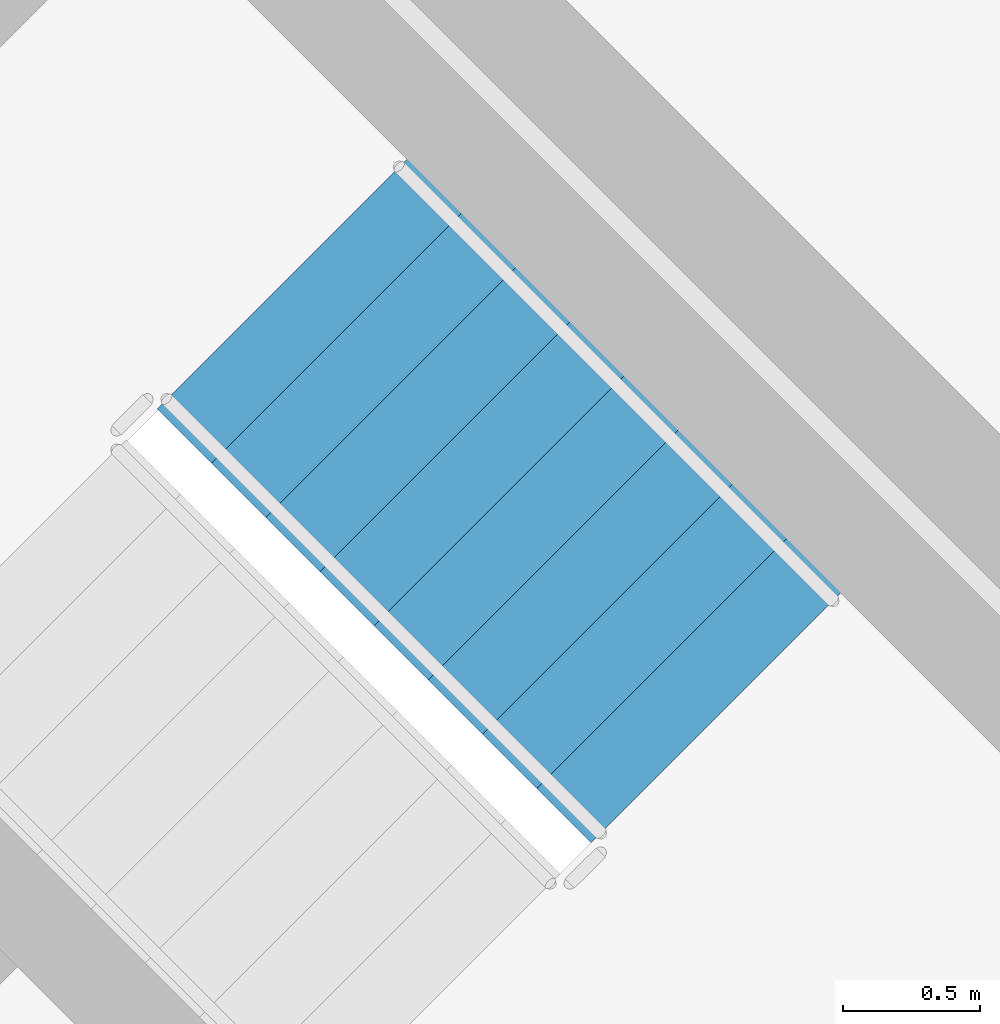
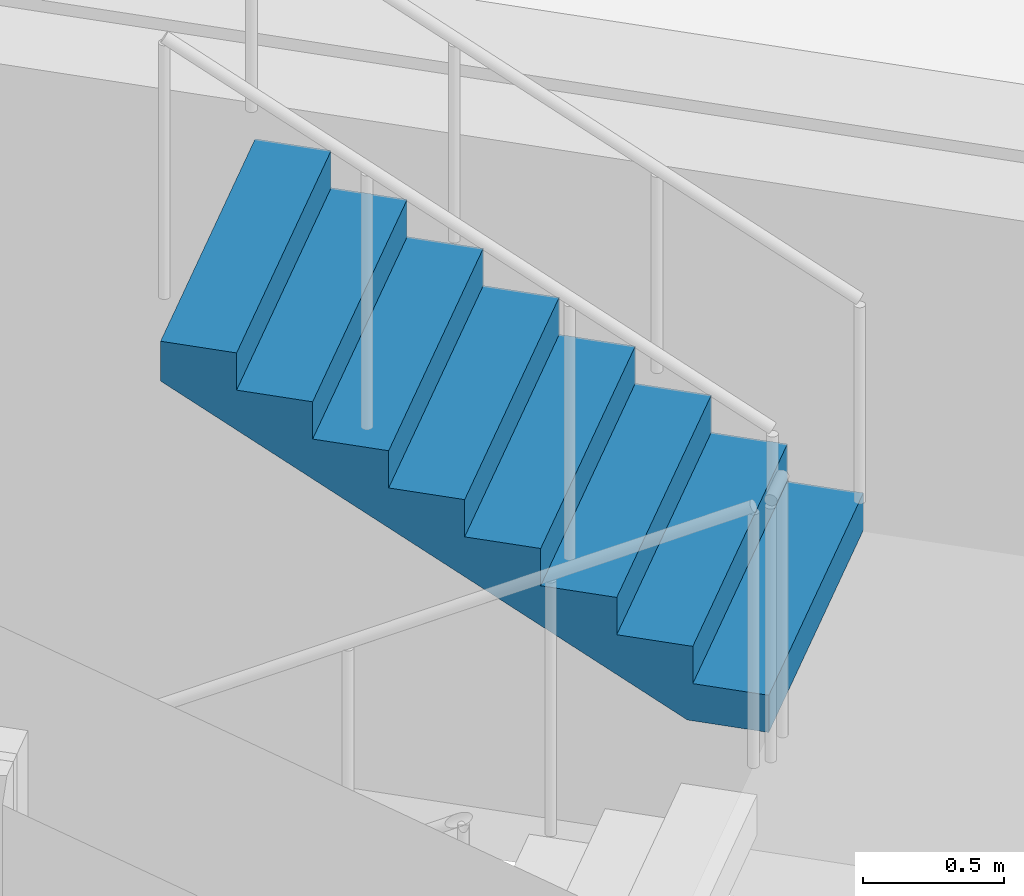
# One storey, part 15 of 17: 1 stair flight, 1 element without a shape of its own.
"""IFC4 building model written with IfcOpenShell, lengths in metres."""

from ifc_helpers import new_model, si_unit, direction, frame, origin, place, context, subcontext, project, spatial, polyline, outline, extrude, material, type_object, element, aggregate, save


model = new_model("IFC4")

# Units and contexts
model_context = context("Model", 3, precision=1e-05, world=origin(), true_north=direction((0.0, 1.0)))
body_context = subcontext(model_context, "Body", "Model", "MODEL_VIEW")
ifc_project = project(units=[si_unit("LENGTHUNIT", "METRE"), si_unit("AREAUNIT", "SQUARE_METRE"), si_unit("VOLUMEUNIT", "CUBIC_METRE"), si_unit("PLANEANGLEUNIT", "RADIAN"), si_unit("MASSUNIT", "GRAM", prefix="KILO")], contexts=[model_context])

# Site, building, storey
site_placement = place(None, origin())
site = spatial("IfcSite", under=ifc_project, at=site_placement, CompositionType="ELEMENT")
building_placement = place(site_placement, origin())
building = spatial("IfcBuilding", under=site, at=building_placement, Name="Cununo Teusaquillo Station Towers", CompositionType="ELEMENT")
storey_placement = place(building_placement, frame((0.0, 0.0, 174.8798828125)))
storey = spatial("IfcBuildingStorey", under=building, at=storey_placement, Name="L55", CompositionType="ELEMENT", Elevation=174.8798828125)

# Stair, stair flight
ifc_material_1 = material(Name="Concrete C50/60", Category="concrete")
stair_type = type_object("IfcStairType", Name="ST-TWR-1300", PredefinedType="HALF_TURN_STAIR", material=ifc_material_1)
stair_placement = place(storey_placement, origin())
stair = element("IfcStair", 1, at=stair_placement, inside=storey, type_object=stair_type, Name="L55 Tower B Protected Core Exit Stair 2", PredefinedType="HALF_TURN_STAIR")
ifc_material_2 = material(Name="Concrete C50/60", Category="concrete")
stair_flight_type = type_object("IfcStairFlightType", Name="SFL-TWR-1300", PredefinedType="STRAIGHT", material=ifc_material_2)
stair_flight_placement = place(storey_placement, frame((63.15673828125, 24.627197265625, 1.455078125), z_axis=(0.0, 0.0, 1.0), x_axis=(-0.707106781187, 0.707106781187, 0.0)))
stair_flight = element("IfcStairFlight", 2, at=stair_flight_placement, type_object=stair_flight_type, Name="ST-T2-2 flight 2", NumberOfRisers=9, NumberOfTreads=8, PredefinedType="STRAIGHT", RiserHeight=0.161666667, TreadLength=0.28, context=body_context, shape_type="SweptSolid", body=[
    extrude(outline(polyline([(0.0, 0.0), (0.0, 0.16162109375), (0.280029296875, 0.16162109375), (0.280029296875, 0.3232421875), (0.56005859375, 0.3232421875), (0.56005859375, 0.485107421875), (0.840087890625, 0.485107421875), (0.840087890625, 0.646728515625), (1.1201171875, 0.646728515625), (1.1201171875, 0.808349609375), (1.39990234375, 0.808349609375), (1.39990234375, 0.969970703125), (1.679931640625, 0.969970703125), (1.679931640625, 1.131591796875), (1.9599609375, 1.131591796875), (1.9599609375, 1.293212890625), (2.239990234375, 1.293212890625), (2.239990234375, 1.455078125), (2.239990234375, 1.1201171875), (0.2998046875, 0.0), (0.0, 0.0)])), frame((0.0, 0.64990234375, 0.0), z_axis=(0.0, -1.0, 0.0), x_axis=(1.0, 0.0, 0.0)), (0.0, 0.0, 1.0), 1.300048828125),
])
aggregate(stair, [stair_flight])

save(model, "model.ifc")
